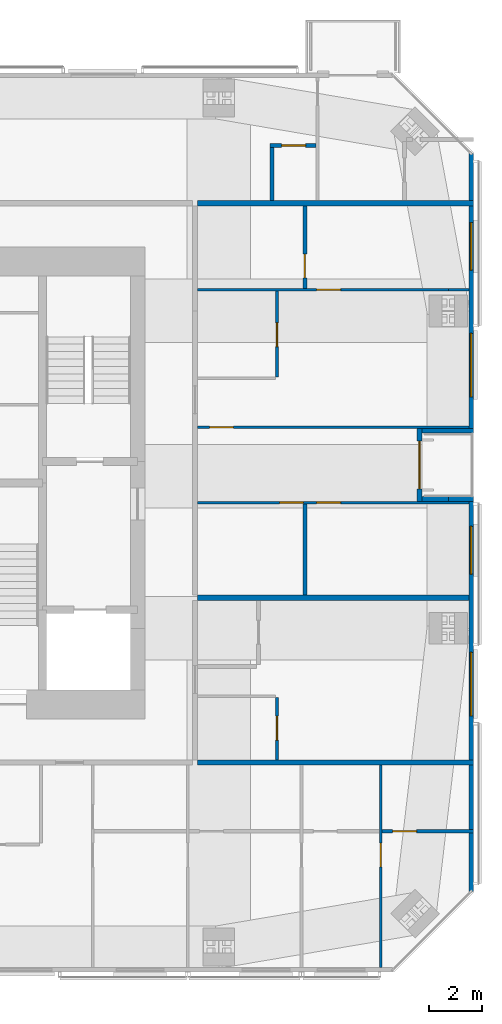
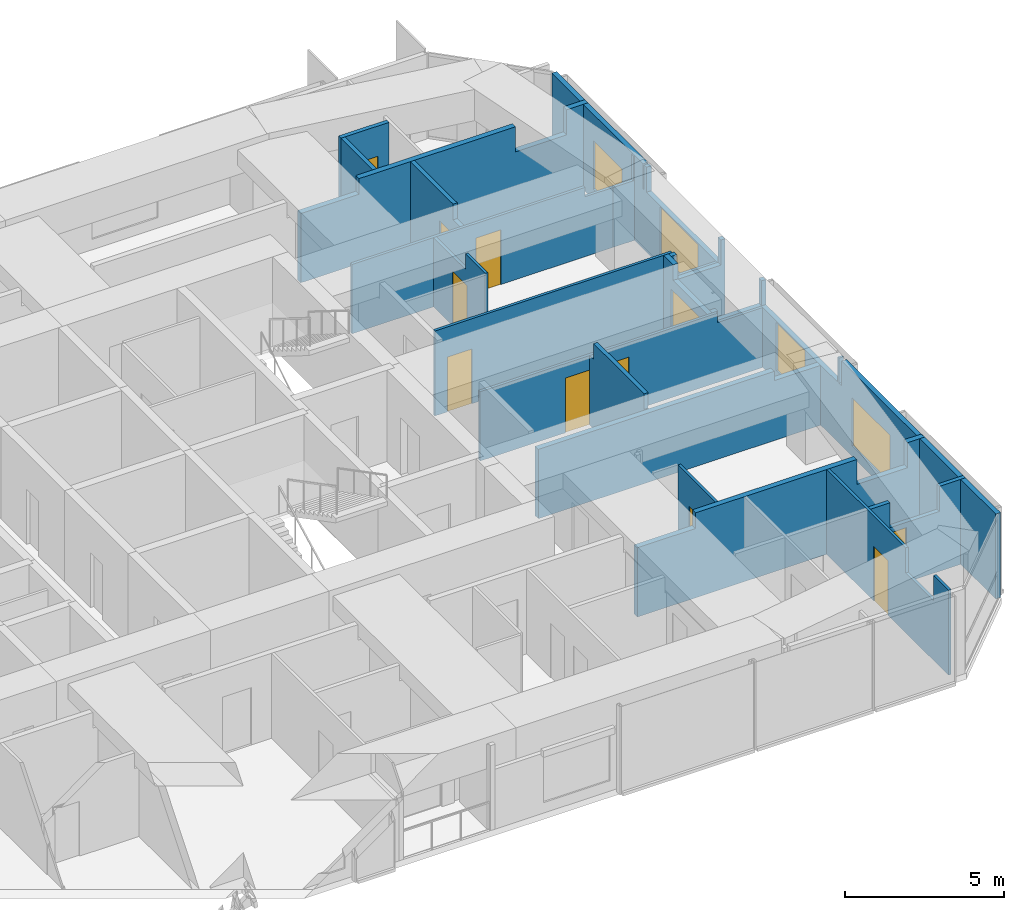
# One storey, part 18 of 20: 21 walls, 11 doors, 4 windows, 15 openings.
"""IFC4 building model written with IfcOpenShell, lengths in metres."""

from ifc_helpers import new_model, si_unit, direction, frame, frame_2d, origin, place, context, subcontext, project, spatial, polyline, rectangle, outline, extrude, material, constituent, constituent_set, type_object, element, fill, save


model = new_model("IFC4")

# Units and contexts
model_context = context("Model", 3, precision=1e-05, world=origin(), true_north=direction((0.0, 1.0)))
body_context = subcontext(model_context, "Body", "Model", "MODEL_VIEW")
ifc_project = project(units=[si_unit("LENGTHUNIT", "METRE"), si_unit("AREAUNIT", "SQUARE_METRE"), si_unit("VOLUMEUNIT", "CUBIC_METRE"), si_unit("PLANEANGLEUNIT", "RADIAN"), si_unit("MASSUNIT", "GRAM", prefix="KILO")], contexts=[model_context])

# Site, building, storey
site_placement = place(None, origin())
site = spatial("IfcSite", under=ifc_project, at=site_placement, CompositionType="ELEMENT")
building_placement = place(site_placement, origin())
building = spatial("IfcBuilding", under=site, at=building_placement, Name="Jalousie Tower", CompositionType="ELEMENT")
storey_placement = place(building_placement, frame((0.0, 0.0, 242.449951171875)))
storey = spatial("IfcBuildingStorey", under=building, at=storey_placement, Name="L66", CompositionType="ELEMENT", Elevation=242.449951171875)

# Wall, opening, door
ifc_material_1 = material(Name="Concrete block ASTM C90", Category="concrete")
ifc_constituent_1 = constituent(ifc_material_1, Name="Body")
ifc_material_2 = material(Name="Render")
ifc_constituent_2 = constituent(ifc_material_2, Name="Finish")
ifc_constituent_set_1 = constituent_set(constituents=[ifc_constituent_1, ifc_constituent_2])
wall_type_1 = type_object("IfcWallType", Name="BATHROOM WALL 150", PredefinedType="PLUMBINGWALL", material=ifc_constituent_set_1)
wall_1_placement = place(storey_placement, frame((53.050048828125, 5.324951171875, 0.0), z_axis=(0.0, 0.0, 1.0), x_axis=(1.0, 0.0, 0.0)))
wall_1 = element("IfcWall", 1, at=wall_1_placement, inside=storey, type_object=wall_type_1, Name="Bathroom Wall 150 L66", PredefinedType="PLUMBINGWALL", context=body_context, shape_type="SweptSolid", body=[
    extrude(outline(polyline([(0.0, 0.0), (3.449951171875, 0.0), (3.449951171875, 3.260009765625), (2.4970703125, 3.260009765625), (2.4970703125, 2.300048828125), (0.715087890625, 2.300048828125), (0.715087890625, 3.260009765625), (0.0, 3.260009765625), (0.0, 0.0)])), frame((0.0, 0.074951171875, 0.0), z_axis=(0.0, -1.0, 0.0), x_axis=(1.0, 0.0, 0.0)), (0.0, 0.0, 1.0), 0.14990234375),
])
opening_1_placement = place(wall_1_placement, frame((0.39990234375, 0.0, 0.0)))
opening_1 = element("IfcOpeningElement", 2, at=opening_1_placement, cuts=wall_1, Name="Opening D3", PredefinedType="OPENING", context=body_context, shape_type="SweptSolid", body=[
    extrude(rectangle(XDim=0.89990234375, YDim=2.10009765625, at=frame_2d((0.449951171875, 1.050048828125))), frame((0.0, 0.0849609375, 0.0), z_axis=(0.0, -1.0, 0.0), x_axis=(1.0, 0.0, 0.0)), (0.0, 0.0, 1.0), 0.169921875),
])
ifc_material_3 = material(Name="Timber door", Category="wood")
door_type_1 = type_object("IfcDoorType", Name="BATHROOM DOOR 900", OperationType="SINGLE_SWING_LEFT", PredefinedType="DOOR", material=ifc_material_3)
door_1_placement = place(opening_1_placement, origin())
door_1 = element("IfcDoor", 3, at=door_1_placement, inside=storey, type_object=door_type_1, Name="Apartment 6603 bedroom 4 bathroom door", OperationType="SINGLE_SWING_LEFT", OverallHeight=2.10009765625, OverallWidth=0.89990234375, PredefinedType="DOOR", context=body_context, shape_type="SweptSolid", body=[
    extrude(rectangle(XDim=0.89990234375, YDim=2.10009765625, at=frame_2d((0.449951171875, 1.050048828125))), frame((0.0, 0.02490234375, 0.0), z_axis=(0.0, -1.0, 0.0), x_axis=(1.0, 0.0, 0.0)), (0.0, 0.0, 1.0), 0.050048828125),
])
fill(opening_1, door_1)

# Wall
wall_2_placement = place(storey_placement, frame((50.125, 14.25, 0.0), z_axis=(0.0, 0.0, 1.0), x_axis=(0.0, 1.0, 0.0)))
element("IfcWall", 4, at=wall_2_placement, inside=storey, type_object=wall_type_1, Name="Bathroom Wall 150 L66", PredefinedType="PLUMBINGWALL", context=body_context, shape_type="SweptSolid", body=[
    extrude(outline(polyline([(0.0, 0.0), (3.449951171875, 0.0), (3.449951171875, 3.260009765625), (3.449951171875, 2.66015625), (3.215087890625, 2.66015625), (3.215087890625, 3.260009765625), (0.034912109375, 3.260009765625), (0.034912109375, 2.66015625), (0.0, 2.66015625), (0.0, 3.260009765625), (0.0, 0.0)])), frame((0.0, 0.074951171875, 0.0), z_axis=(0.0, -1.0, 0.0), x_axis=(1.0, 0.0, 0.0)), (0.0, 0.0, 1.0), 0.14990234375),
])

# Wall, opening, door
wall_3_placement = place(storey_placement, frame((50.125, 25.85009765625, 0.0), z_axis=(0.0, 0.0, 1.0), x_axis=(0.0, 1.0, 0.0)))
wall_3 = element("IfcWall", 5, at=wall_3_placement, inside=storey, type_object=wall_type_1, Name="Bathroom Wall 150 L66", PredefinedType="PLUMBINGWALL", context=body_context, shape_type="SweptSolid", body=[
    extrude(outline(polyline([(0.0, 0.0), (3.125, 0.0), (3.125, 3.260009765625), (0.43505859375, 3.260009765625), (0.43505859375, 2.66015625), (0.0, 2.66015625), (0.0, 3.260009765625), (0.0, 0.0)])), frame((0.0, 0.074951171875, 0.0), z_axis=(0.0, -1.0, 0.0), x_axis=(1.0, 0.0, 0.0)), (0.0, 0.0, 1.0), 0.14990234375),
])
opening_2_placement = place(wall_3_placement, frame((0.39990234375, 0.0, 0.0)))
opening_2 = element("IfcOpeningElement", 6, at=opening_2_placement, cuts=wall_3, Name="Opening D3", PredefinedType="OPENING", context=body_context, shape_type="SweptSolid", body=[
    extrude(rectangle(XDim=0.89990234375, YDim=2.10009765625, at=frame_2d((0.449951171875, 1.050048828125))), frame((0.0, 0.0849609375, 0.0), z_axis=(0.0, -1.0, 0.0), x_axis=(1.0, 0.0, 0.0)), (0.0, 0.0, 1.0), 0.169921875),
])
door_2_placement = place(opening_2_placement, origin())
door_2 = element("IfcDoor", 7, at=door_2_placement, inside=storey, type_object=door_type_1, Name="Apartment 6606 bedroom 2 bathroom door", OperationType="SINGLE_SWING_LEFT", OverallHeight=2.10009765625, OverallWidth=0.89990234375, PredefinedType="DOOR", context=body_context, shape_type="SweptSolid", body=[
    extrude(rectangle(XDim=0.89990234375, YDim=2.10009765625, at=frame_2d((0.449951171875, 1.050048828125))), frame((0.0, 0.02490234375, 0.0), z_axis=(0.0, -1.0, 0.0), x_axis=(1.0, 0.0, 0.0)), (0.0, 0.0, 1.0), 0.050048828125),
])
fill(opening_2, door_2)

wall_4_placement = place(storey_placement, frame((50.552490234375, 31.25, 0.0), z_axis=(0.0, 0.0, 1.0), x_axis=(-1.0, 0.0, 0.0)))
wall_4 = element("IfcWall", 8, at=wall_4_placement, inside=storey, type_object=wall_type_1, Name="Bathroom Wall 150 L66", PredefinedType="PLUMBINGWALL", context=body_context, shape_type="SweptSolid", body=[
    extrude(rectangle(XDim=1.75, YDim=0.14990234375, at=frame_2d((0.875, 0.0))), origin(), (0.0, 0.0, 1.0), 3.260009765625),
])
opening_3_placement = place(wall_4_placement, frame((0.39990234375, 0.0, 0.0)))
opening_3 = element("IfcOpeningElement", 9, at=opening_3_placement, cuts=wall_4, Name="Opening D7", PredefinedType="OPENING", context=body_context, shape_type="SweptSolid", body=[
    extrude(rectangle(XDim=0.89990234375, YDim=2.10009765625, at=frame_2d((0.449951171875, 1.050048828125))), frame((0.0, 0.0849609375, 0.0), z_axis=(0.0, -1.0, 0.0), x_axis=(1.0, 0.0, 0.0)), (0.0, 0.0, 1.0), 0.169921875),
])
ifc_material_4 = material(Name="Timber door", Category="wood")
door_type_2 = type_object("IfcDoorType", Name="INTERNAL DOOR 900", OperationType="SINGLE_SWING_LEFT", PredefinedType="DOOR", material=ifc_material_4)
door_3_placement = place(opening_3_placement, origin())
door_3 = element("IfcDoor", 10, at=door_3_placement, inside=storey, type_object=door_type_2, Name="Apartment 6604 guest WC door", OperationType="SINGLE_SWING_RIGHT", OverallHeight=2.10009765625, OverallWidth=0.89990234375, PredefinedType="DOOR", context=body_context, shape_type="SweptSolid", body=[
    extrude(rectangle(XDim=0.89990234375, YDim=2.10009765625, at=frame_2d((0.449951171875, 1.050048828125))), frame((0.0, 0.02490234375, 0.0), z_axis=(0.0, -1.0, 0.0), x_axis=(1.0, 0.0, 0.0)), (0.0, 0.0, 1.0), 0.050048828125),
])
fill(opening_3, door_3)

# Wall
wall_5_placement = place(storey_placement, frame((48.87744140625, 29.175048828125, 0.0), z_axis=(0.0, 0.0, 1.0), x_axis=(0.0, 1.0, 0.0)))
element("IfcWall", 11, at=wall_5_placement, inside=storey, type_object=wall_type_1, Name="Bathroom Wall 150 L66", PredefinedType="PLUMBINGWALL", context=body_context, shape_type="SweptSolid", body=[
    extrude(rectangle(XDim=2.0, YDim=0.14990234375, at=frame_2d((1.0, 0.0))), origin(), (0.0, 0.0, 1.0), 3.260009765625),
])

# Wall, openings, windows
ifc_material_5 = material(Name="Concrete f'c 40 MPa", Category="concrete")
ifc_constituent_3 = constituent(ifc_material_5, Name="Body")
ifc_material_6 = material(Name="Render, pastel sky blue")
ifc_constituent_4 = constituent(ifc_material_6, Name="Finish")
ifc_constituent_set_2 = constituent_set(constituents=[ifc_constituent_3, ifc_constituent_4])
wall_type_2 = type_object("IfcWallType", Name="EXTERNAL WALL 175 SKY BLUE RENDER", PredefinedType="SOLIDWALL", material=ifc_constituent_set_2)
wall_6_placement = place(storey_placement, frame((56.41259765625, 3.05126953125, 0.0), z_axis=(0.0, 0.0, 1.0), x_axis=(0.0, 1.0, 0.0)))
wall_6 = element("IfcWall", 12, at=wall_6_placement, inside=storey, type_object=wall_type_2, Name="External Wall 175 Sky Blue Render L66", PredefinedType="SOLIDWALL", context=body_context, shape_type="SweptSolid", body=[
    extrude(outline(polyline([(0.0, 0.0), (14.748779296875, 0.0), (14.748779296875, 2.300048828125), (9.94873046875, 2.300048828125), (9.94873046875, 3.260009765625), (9.8583984375, 3.260009765625), (9.8583984375, 2.300048828125), (9.6875, 2.300048828125), (9.6875, 3.260009765625), (0.0, 3.260009765625), (0.0, 0.0)])), frame((0.0, 0.08740234375, 0.0), z_axis=(0.0, -1.0, 0.0), x_axis=(1.0, 0.0, 0.0)), (0.0, 0.0, 1.0), 0.175048828125),
])
opening_4_placement = place(wall_6_placement, frame((6.639892578125, 0.0, 0.39990234375)))
opening_4 = element("IfcOpeningElement", 13, at=opening_4_placement, cuts=wall_6, Name="Opening W-LIV185", PredefinedType="OPENING", context=body_context, shape_type="SweptSolid", body=[
    extrude(rectangle(XDim=2.39990234375, YDim=1.85009765625, at=frame_2d((1.199951171875, 0.925048828125))), frame((0.0, 0.097412109375, 0.0), z_axis=(0.0, -1.0, 0.0), x_axis=(1.0, 0.0, 0.0)), (0.0, 0.0, 1.0), 0.195068359375),
])
opening_5_placement = place(wall_6_placement, frame((11.998779296875, 0.0, 0.39990234375)))
opening_5 = element("IfcOpeningElement", 14, at=opening_5_placement, cuts=wall_6, Name="Opening W-BED185", PredefinedType="OPENING", context=body_context, shape_type="SweptSolid", body=[
    extrude(rectangle(XDim=1.800048828125, YDim=1.85009765625, at=frame_2d((0.89990234375, 0.925048828125))), frame((0.0, 0.097412109375, 0.0), z_axis=(0.0, -1.0, 0.0), x_axis=(1.0, 0.0, 0.0)), (0.0, 0.0, 1.0), 0.195068359375),
])
ifc_material_7 = material(Name="Aluminium frame, impact-rated glazing", Category="aluminium")
window_type_1 = type_object("IfcWindowType", Name="WINDOW BED 1800x1850", PartitioningType="SINGLE_PANEL", PredefinedType="WINDOW", material=ifc_material_7)
window_1_placement = place(opening_5_placement, origin())
window_1 = element("IfcWindow", 15, at=window_1_placement, inside=storey, type_object=window_type_1, Name="Apartment 6606 bedroom 1 window", OverallHeight=1.85009765625, OverallWidth=1.800048828125, PartitioningType="SINGLE_PANEL", PredefinedType="WINDOW", context=body_context, shape_type="SweptSolid", body=[
    extrude(rectangle(XDim=1.800048828125, YDim=1.85009765625, at=frame_2d((0.89990234375, 0.925048828125))), frame((0.0, 0.030029296875, 0.0), z_axis=(0.0, -1.0, 0.0), x_axis=(1.0, 0.0, 0.0)), (0.0, 0.0, 1.0), 0.06005859375),
])
fill(opening_5, window_1)
ifc_material_8 = material(Name="Aluminium frame, impact-rated glazing", Category="aluminium")
window_type_2 = type_object("IfcWindowType", Name="WINDOW LIV 2400x1850", PartitioningType="DOUBLE_PANEL_VERTICAL", PredefinedType="WINDOW", material=ifc_material_8)
window_2_placement = place(opening_4_placement, origin())
window_2 = element("IfcWindow", 16, at=window_2_placement, inside=storey, type_object=window_type_2, Name="Apartment 6605 studio living and sleeping room window", OverallHeight=1.85009765625, OverallWidth=2.39990234375, PartitioningType="SINGLE_PANEL", PredefinedType="WINDOW", context=body_context, shape_type="SweptSolid", body=[
    extrude(rectangle(XDim=2.39990234375, YDim=1.85009765625, at=frame_2d((1.199951171875, 0.925048828125))), frame((0.0, 0.030029296875, 0.0), z_axis=(0.0, -1.0, 0.0), x_axis=(1.0, 0.0, 0.0)), (0.0, 0.0, 1.0), 0.06005859375),
])
fill(opening_4, window_2)

wall_7_placement = place(storey_placement, frame((56.41259765625, 20.550048828125, 0.0), z_axis=(0.0, 0.0, 1.0), x_axis=(0.0, 1.0, 0.0)))
wall_7 = element("IfcWall", 17, at=wall_7_placement, inside=storey, type_object=wall_type_2, Name="External Wall 175 Sky Blue Render L66", PredefinedType="SOLIDWALL", context=body_context, shape_type="SweptSolid", body=[
    extrude(outline(polyline([(0.0, 0.0), (10.398681640625, 0.0), (10.398681640625, 3.260009765625), (4.658447265625, 3.260009765625), (4.658447265625, 2.300048828125), (4.593505859375, 2.300048828125), (4.593505859375, 3.260009765625), (4.449951171875, 3.260009765625), (4.449951171875, 2.300048828125), (0.0, 2.300048828125), (0.0, 0.0)])), frame((0.0, 0.08740234375, 0.0), z_axis=(0.0, -1.0, 0.0), x_axis=(1.0, 0.0, 0.0)), (0.0, 0.0, 1.0), 0.175048828125),
])
opening_6_placement = place(wall_7_placement, frame((1.199951171875, 0.0, 0.39990234375)))
opening_6 = element("IfcOpeningElement", 18, at=opening_6_placement, cuts=wall_7, Name="Opening W-LIV185", PredefinedType="OPENING", context=body_context, shape_type="SweptSolid", body=[
    extrude(rectangle(XDim=2.39990234375, YDim=1.85009765625, at=frame_2d((1.199951171875, 0.925048828125))), frame((0.0, 0.097412109375, 0.0), z_axis=(0.0, -1.0, 0.0), x_axis=(1.0, 0.0, 0.0)), (0.0, 0.0, 1.0), 0.195068359375),
])
opening_7_placement = place(wall_7_placement, frame((5.987548828125, 0.0, 0.39990234375)))
opening_7 = element("IfcOpeningElement", 19, at=opening_7_placement, cuts=wall_7, Name="Opening W-BED185", PredefinedType="OPENING", context=body_context, shape_type="SweptSolid", body=[
    extrude(rectangle(XDim=1.800048828125, YDim=1.85009765625, at=frame_2d((0.89990234375, 0.925048828125))), frame((0.0, 0.097412109375, 0.0), z_axis=(0.0, -1.0, 0.0), x_axis=(1.0, 0.0, 0.0)), (0.0, 0.0, 1.0), 0.195068359375),
])
window_3_placement = place(opening_7_placement, origin())
window_3 = element("IfcWindow", 20, at=window_3_placement, inside=storey, type_object=window_type_1, Name="Apartment 6606 bedroom 2 window", OverallHeight=1.85009765625, OverallWidth=1.800048828125, PartitioningType="SINGLE_PANEL", PredefinedType="WINDOW", context=body_context, shape_type="SweptSolid", body=[
    extrude(rectangle(XDim=1.800048828125, YDim=1.85009765625, at=frame_2d((0.89990234375, 0.925048828125))), frame((0.0, 0.030029296875, 0.0), z_axis=(0.0, -1.0, 0.0), x_axis=(1.0, 0.0, 0.0)), (0.0, 0.0, 1.0), 0.06005859375),
])
fill(opening_7, window_3)
window_4_placement = place(opening_6_placement, origin())
window_4 = element("IfcWindow", 21, at=window_4_placement, inside=storey, type_object=window_type_2, Name="Apartment 6606 living and dining room window", OverallHeight=1.85009765625, OverallWidth=2.39990234375, PartitioningType="SINGLE_PANEL", PredefinedType="WINDOW", context=body_context, shape_type="SweptSolid", body=[
    extrude(rectangle(XDim=2.39990234375, YDim=1.85009765625, at=frame_2d((1.199951171875, 0.925048828125))), frame((0.0, 0.030029296875, 0.0), z_axis=(0.0, -1.0, 0.0), x_axis=(1.0, 0.0, 0.0)), (0.0, 0.0, 1.0), 0.06005859375),
])
fill(opening_6, window_4)

# Wall, opening, door
wall_8_placement = place(storey_placement, frame((54.46240234375, 17.800048828125, 0.0), z_axis=(0.0, 0.0, 1.0), x_axis=(0.0, 1.0, 0.0)))
wall_8 = element("IfcWall", 22, at=wall_8_placement, inside=storey, type_object=wall_type_2, Name="External Wall 175 Sky Blue Render L66", PredefinedType="SOLIDWALL", context=body_context, shape_type="SweptSolid", body=[
    extrude(outline(polyline([(0.0, 0.0), (2.75, 0.0), (2.75, 3.260009765625), (2.14990234375, 3.260009765625), (2.14990234375, 2.66015625), (0.0, 2.66015625), (0.0, 0.0)])), frame((0.0, 0.08740234375, 0.0), z_axis=(0.0, -1.0, 0.0), x_axis=(1.0, 0.0, 0.0)), (0.0, 0.0, 1.0), 0.175048828125),
])
opening_8_placement = place(wall_8_placement, frame((0.47509765625, 0.0, 0.0)))
opening_8 = element("IfcOpeningElement", 23, at=opening_8_placement, cuts=wall_8, Name="Opening D-BAL22", PredefinedType="OPENING", context=body_context, shape_type="SweptSolid", body=[
    extrude(rectangle(XDim=1.800048828125, YDim=2.25, at=frame_2d((0.89990234375, 1.125))), frame((0.0, 0.097412109375, 0.0), z_axis=(0.0, -1.0, 0.0), x_axis=(1.0, 0.0, 0.0)), (0.0, 0.0, 1.0), 0.195068359375),
])
ifc_material_9 = material(Name="Aluminium frame, impact-rated glazing", Category="aluminium")
door_type_3 = type_object("IfcDoorType", Name="BALCONY DOOR 1800x2250", OperationType="SLIDING_TO_LEFT", PredefinedType="DOOR", material=ifc_material_9)
door_4_placement = place(opening_8_placement, origin())
door_4 = element("IfcDoor", 24, at=door_4_placement, inside=storey, type_object=door_type_3, Name="Apartment 6606 study loggia door", OperationType="SLIDING_TO_LEFT", OverallHeight=2.25, OverallWidth=1.800048828125, PredefinedType="DOOR", context=body_context, shape_type="SweptSolid", body=[
    extrude(rectangle(XDim=1.800048828125, YDim=2.25, at=frame_2d((0.89990234375, 1.125))), frame((0.0, 0.02490234375, 0.0), z_axis=(0.0, -1.0, 0.0), x_axis=(1.0, 0.0, 0.0)), (0.0, 0.0, 1.0), 0.050048828125),
])
fill(opening_8, door_4)

# Walls
wall_9_placement = place(storey_placement, frame((56.5, 17.887451171875, 0.0), z_axis=(0.0, 0.0, 1.0), x_axis=(-1.0, 0.0, 0.0)))
element("IfcWall", 25, at=wall_9_placement, inside=storey, type_object=wall_type_2, Name="External Wall 175 Sky Blue Render L66-A", PredefinedType="SOLIDWALL", context=body_context, shape_type="SweptSolid", body=[
    extrude(outline(polyline([(0.0, 0.0), (0.949951171875, 0.0), (0.949951171875, 2.300048828125), (0.14990234375, 2.300048828125), (0.14990234375, 3.260009765625), (0.0, 3.260009765625), (0.0, 0.0)])), frame((0.0, 0.08740234375, 0.0), z_axis=(0.0, -1.0, 0.0), x_axis=(1.0, 0.0, 0.0)), (0.0, 0.0, 1.0), 0.175048828125),
])
wall_10_placement = place(storey_placement, frame((55.550048828125, 17.887451171875, 0.0), z_axis=(0.0, 0.0, 1.0), x_axis=(-1.0, 0.0, 0.0)))
element("IfcWall", 26, at=wall_10_placement, inside=storey, type_object=wall_type_2, Name="External Wall 175 Sky Blue Render L66-B", PredefinedType="SOLIDWALL", context=body_context, shape_type="SweptSolid", body=[
    extrude(outline(polyline([(0.0, 0.0), (1.0, 0.0), (1.0, 2.66015625), (0.800048828125, 2.66015625), (0.800048828125, 2.300048828125), (0.0, 2.300048828125), (0.0, 0.0)])), frame((0.0, 0.08740234375, 0.0), z_axis=(0.0, -1.0, 0.0), x_axis=(1.0, 0.0, 0.0)), (0.0, 0.0, 1.0), 0.175048828125),
])
wall_11_placement = place(storey_placement, frame((56.5, 20.46240234375, 0.0), z_axis=(0.0, 0.0, 1.0), x_axis=(-1.0, 0.0, 0.0)))
element("IfcWall", 27, at=wall_11_placement, inside=storey, type_object=wall_type_2, Name="External Wall 175 Sky Blue Render L66", PredefinedType="SOLIDWALL", context=body_context, shape_type="SweptSolid", body=[
    extrude(outline(polyline([(0.0, 0.0), (1.949951171875, 0.0), (1.949951171875, 3.260009765625), (1.75, 3.260009765625), (1.75, 2.300048828125), (0.14990234375, 2.300048828125), (0.14990234375, 3.260009765625), (0.0, 3.260009765625), (0.0, 0.0)])), frame((0.0, 0.08740234375, 0.0), z_axis=(0.0, -1.0, 0.0), x_axis=(1.0, 0.0, 0.0)), (0.0, 0.0, 1.0), 0.175048828125),
])

# Wall, opening, door
ifc_material_10 = material(Name="Gypsum board", Category="gypsum")
ifc_constituent_5 = constituent(ifc_material_10, Name="Body")
ifc_material_11 = material(Name="Light-gauge steel studs ASTM A653 SS Grade 33", Category="steel")
ifc_constituent_6 = constituent(ifc_material_11, Name="Framing")
ifc_constituent_set_3 = constituent_set(constituents=[ifc_constituent_5, ifc_constituent_6])
wall_type_3 = type_object("IfcWallType", Name="PARTITION 100", PredefinedType="PARTITIONING", material=ifc_constituent_set_3)
wall_12_placement = place(storey_placement, frame((53.0, 0.175048828125, 0.0), z_axis=(0.0, 0.0, 1.0), x_axis=(0.0, 1.0, 0.0)))
wall_12 = element("IfcWall", 28, at=wall_12_placement, inside=storey, type_object=wall_type_3, Name="Partition 100 L66", PredefinedType="PARTITIONING", context=body_context, shape_type="SweptSolid", body=[
    extrude(outline(polyline([(0.0, 0.0), (7.64990234375, 0.0), (7.64990234375, 3.260009765625), (2.685302734375, 3.260009765625), (2.685302734375, 2.300048828125), (0.940673828125, 2.300048828125), (0.940673828125, 3.260009765625), (0.0, 3.260009765625), (0.0, 0.0)])), frame((0.0, 0.050048828125, 0.0), z_axis=(0.0, -1.0, 0.0), x_axis=(1.0, 0.0, 0.0)), (0.0, 0.0, 1.0), 0.10009765625),
])
opening_9_placement = place(wall_12_placement, frame((3.800048828125, 0.0, 0.0)))
opening_9 = element("IfcOpeningElement", 29, at=opening_9_placement, cuts=wall_12, Name="Opening D2", PredefinedType="OPENING", context=body_context, shape_type="SweptSolid", body=[
    extrude(rectangle(XDim=0.89990234375, YDim=2.10009765625, at=frame_2d((0.449951171875, 1.050048828125))), frame((0.0, 0.06005859375, 0.0), z_axis=(0.0, -1.0, 0.0), x_axis=(1.0, 0.0, 0.0)), (0.0, 0.0, 1.0), 0.1201171875),
])
ifc_material_12 = material(Name="Timber door", Category="wood")
door_type_4 = type_object("IfcDoorType", Name="BEDROOM DOOR 900", OperationType="SINGLE_SWING_LEFT", PredefinedType="DOOR", material=ifc_material_12)
door_5_placement = place(opening_9_placement, frame((0.89990234375, 0.0, 0.0), z_axis=(0.0, 0.0, 1.0), x_axis=(-1.0, 0.0, 0.0)))
door_5 = element("IfcDoor", 30, at=door_5_placement, inside=storey, type_object=door_type_4, Name="Apartment 6603 bedroom 4 door", OperationType="SINGLE_SWING_LEFT", OverallHeight=2.10009765625, OverallWidth=0.89990234375, PredefinedType="DOOR", context=body_context, shape_type="SweptSolid", body=[
    extrude(rectangle(XDim=0.89990234375, YDim=2.10009765625, at=frame_2d((0.449951171875, 1.050048828125))), frame((0.0, 0.02490234375, 0.0), z_axis=(0.0, -1.0, 0.0), x_axis=(1.0, 0.0, 0.0)), (0.0, 0.0, 1.0), 0.050048828125),
])
fill(opening_9, door_5)

wall_13_placement = place(storey_placement, frame((49.074951171875, 8.02490234375, 0.0), z_axis=(0.0, 0.0, 1.0), x_axis=(0.0, 1.0, 0.0)))
wall_13 = element("IfcWall", 31, at=wall_13_placement, inside=storey, type_object=wall_type_3, Name="Partition 100 L66", PredefinedType="PARTITIONING", context=body_context, shape_type="SweptSolid", body=[
    extrude(rectangle(XDim=2.35009765625, YDim=0.10009765625, at=frame_2d((1.175048828125, 0.0))), origin(), (0.0, 0.0, 1.0), 3.260009765625),
])
opening_10_placement = place(wall_13_placement, frame((0.75, 0.0, 0.0)))
opening_10 = element("IfcOpeningElement", 32, at=opening_10_placement, cuts=wall_13, Name="Opening D7", PredefinedType="OPENING", context=body_context, shape_type="SweptSolid", body=[
    extrude(rectangle(XDim=0.89990234375, YDim=2.10009765625, at=frame_2d((0.449951171875, 1.050048828125))), frame((0.0, 0.06005859375, 0.0), z_axis=(0.0, -1.0, 0.0), x_axis=(1.0, 0.0, 0.0)), (0.0, 0.0, 1.0), 0.1201171875),
])
door_6_placement = place(opening_10_placement, origin())
door_6 = element("IfcDoor", 33, at=door_6_placement, inside=storey, type_object=door_type_2, Name="Apartment 6605 kitchen door", OperationType="SINGLE_SWING_RIGHT", OverallHeight=2.10009765625, OverallWidth=0.89990234375, PredefinedType="DOOR", context=body_context, shape_type="SweptSolid", body=[
    extrude(rectangle(XDim=0.89990234375, YDim=2.10009765625, at=frame_2d((0.449951171875, 1.050048828125))), frame((0.0, 0.02490234375, 0.0), z_axis=(0.0, -1.0, 0.0), x_axis=(1.0, 0.0, 0.0)), (0.0, 0.0, 1.0), 0.050048828125),
])
fill(opening_10, door_6)

# Wall, openings, doors
wall_14_placement = place(storey_placement, frame((56.324951171875, 17.75, 0.0), z_axis=(0.0, 0.0, 1.0), x_axis=(-1.0, 0.0, 0.0)))
wall_14 = element("IfcWall", 34, at=wall_14_placement, inside=storey, type_object=wall_type_3, Name="Partition 100 L66", PredefinedType="PARTITIONING", context=body_context, shape_type="SweptSolid", body=[
    extrude(outline(polyline([(0.0, 0.0), (10.25, 0.0), (10.25, 3.260009765625), (10.25, 2.66015625), (1.635009765625, 2.66015625), (1.635009765625, 2.300048828125), (0.0, 2.300048828125), (0.0, 3.260009765625), (0.0, 0.0)])), frame((0.0, 0.050048828125, 0.0), z_axis=(0.0, -1.0, 0.0), x_axis=(1.0, 0.0, 0.0)), (0.0, 0.0, 1.0), 0.10009765625),
])
opening_11_placement = place(wall_14_placement, frame((4.85009765625, 0.0, 0.0)))
opening_11 = element("IfcOpeningElement", 35, at=opening_11_placement, cuts=wall_14, Name="Opening D2", PredefinedType="OPENING", context=body_context, shape_type="SweptSolid", body=[
    extrude(rectangle(XDim=0.89990234375, YDim=2.10009765625, at=frame_2d((0.449951171875, 1.050048828125))), frame((0.0, 0.06005859375, 0.0), z_axis=(0.0, -1.0, 0.0), x_axis=(1.0, 0.0, 0.0)), (0.0, 0.0, 1.0), 0.1201171875),
])
opening_12_placement = place(wall_14_placement, frame((6.25, 0.0, 0.0)))
opening_12 = element("IfcOpeningElement", 36, at=opening_12_placement, cuts=wall_14, Name="Opening D7", PredefinedType="OPENING", context=body_context, shape_type="SweptSolid", body=[
    extrude(rectangle(XDim=0.89990234375, YDim=2.10009765625, at=frame_2d((0.449951171875, 1.050048828125))), frame((0.0, 0.06005859375, 0.0), z_axis=(0.0, -1.0, 0.0), x_axis=(1.0, 0.0, 0.0)), (0.0, 0.0, 1.0), 0.1201171875),
])
door_7_placement = place(opening_11_placement, origin())
door_7 = element("IfcDoor", 37, at=door_7_placement, inside=storey, type_object=door_type_4, Name="Apartment 6606 bedroom 1 door", OperationType="SINGLE_SWING_RIGHT", OverallHeight=2.10009765625, OverallWidth=0.89990234375, PredefinedType="DOOR", context=body_context, shape_type="SweptSolid", body=[
    extrude(rectangle(XDim=0.89990234375, YDim=2.10009765625, at=frame_2d((0.449951171875, 1.050048828125))), frame((0.0, 0.02490234375, 0.0), z_axis=(0.0, -1.0, 0.0), x_axis=(1.0, 0.0, 0.0)), (0.0, 0.0, 1.0), 0.050048828125),
])
fill(opening_11, door_7)
door_8_placement = place(opening_12_placement, origin())
door_8 = element("IfcDoor", 38, at=door_8_placement, inside=storey, type_object=door_type_2, Name="Apartment 6606 bathroom door", OperationType="SINGLE_SWING_LEFT", OverallHeight=2.10009765625, OverallWidth=0.89990234375, PredefinedType="DOOR", context=body_context, shape_type="SweptSolid", body=[
    extrude(rectangle(XDim=0.89990234375, YDim=2.10009765625, at=frame_2d((0.449951171875, 1.050048828125))), frame((0.0, 0.02490234375, 0.0), z_axis=(0.0, -1.0, 0.0), x_axis=(1.0, 0.0, 0.0)), (0.0, 0.0, 1.0), 0.050048828125),
])
fill(opening_12, door_8)

# Wall
wall_15_placement = place(storey_placement, frame((56.324951171875, 25.800048828125, 0.0), z_axis=(0.0, 0.0, 1.0), x_axis=(-1.0, 0.0, 0.0)))
element("IfcWall", 39, at=wall_15_placement, inside=storey, type_object=wall_type_3, Name="Partition 100 L66-A", PredefinedType="PARTITIONING", context=body_context, shape_type="SweptSolid", body=[
    extrude(outline(polyline([(0.0, 0.0), (0.77490234375, 0.0), (0.77490234375, 2.300048828125), (0.04833984375, 2.300048828125), (0.04833984375, 3.260009765625), (0.0, 3.260009765625), (0.0, 0.0)])), frame((0.0, 0.050048828125, 0.0), z_axis=(0.0, -1.0, 0.0), x_axis=(1.0, 0.0, 0.0)), (0.0, 0.0, 1.0), 0.10009765625),
])

# Wall, opening, door
wall_16_placement = place(storey_placement, frame((55.550048828125, 25.800048828125, 0.0), z_axis=(0.0, 0.0, 1.0), x_axis=(-1.0, 0.0, 0.0)))
wall_16 = element("IfcWall", 40, at=wall_16_placement, inside=storey, type_object=wall_type_3, Name="Partition 100 L66-B", PredefinedType="PARTITIONING", context=body_context, shape_type="SweptSolid", body=[
    extrude(outline(polyline([(0.0, 0.0), (9.47509765625, 0.0), (9.47509765625, 2.66015625), (1.022705078125, 2.66015625), (1.022705078125, 2.300048828125), (0.0, 2.300048828125), (0.0, 0.0)])), frame((0.0, 0.050048828125, 0.0), z_axis=(0.0, -1.0, 0.0), x_axis=(1.0, 0.0, 0.0)), (0.0, 0.0, 1.0), 0.10009765625),
])
opening_13_placement = place(wall_16_placement, frame((4.074951171875, 0.0, 0.0)))
opening_13 = element("IfcOpeningElement", 41, at=opening_13_placement, cuts=wall_16, Name="Opening D2", PredefinedType="OPENING", context=body_context, shape_type="SweptSolid", body=[
    extrude(rectangle(XDim=0.89990234375, YDim=2.10009765625, at=frame_2d((0.449951171875, 1.050048828125))), frame((0.0, 0.06005859375, 0.0), z_axis=(0.0, -1.0, 0.0), x_axis=(1.0, 0.0, 0.0)), (0.0, 0.0, 1.0), 0.1201171875),
])
door_9_placement = place(opening_13_placement, frame((0.89990234375, 0.0, 0.0), z_axis=(0.0, 0.0, 1.0), x_axis=(-1.0, 0.0, 0.0)))
door_9 = element("IfcDoor", 42, at=door_9_placement, inside=storey, type_object=door_type_4, Name="Apartment 6606 bedroom 2 door", OperationType="SINGLE_SWING_LEFT", OverallHeight=2.10009765625, OverallWidth=0.89990234375, PredefinedType="DOOR", context=body_context, shape_type="SweptSolid", body=[
    extrude(rectangle(XDim=0.89990234375, YDim=2.10009765625, at=frame_2d((0.449951171875, 1.050048828125))), frame((0.0, 0.02490234375, 0.0), z_axis=(0.0, -1.0, 0.0), x_axis=(1.0, 0.0, 0.0)), (0.0, 0.0, 1.0), 0.050048828125),
])
fill(opening_13, door_9)

wall_17_placement = place(storey_placement, frame((56.324951171875, 20.60009765625, 0.0), z_axis=(0.0, 0.0, 1.0), x_axis=(-1.0, 0.0, 0.0)))
wall_17 = element("IfcWall", 43, at=wall_17_placement, inside=storey, type_object=wall_type_3, Name="Partition 100 L66", PredefinedType="PARTITIONING", context=body_context, shape_type="SweptSolid", body=[
    extrude(outline(polyline([(0.0, 0.0), (10.25, 0.0), (10.25, 3.260009765625), (1.635009765625, 3.260009765625), (1.635009765625, 2.300048828125), (0.0, 2.300048828125), (0.0, 3.260009765625), (0.0, 0.0)])), frame((0.0, 0.050048828125, 0.0), z_axis=(0.0, -1.0, 0.0), x_axis=(1.0, 0.0, 0.0)), (0.0, 0.0, 1.0), 0.10009765625),
])
opening_14_placement = place(wall_17_placement, frame((8.89990234375, 0.0, 0.0)))
opening_14 = element("IfcOpeningElement", 44, at=opening_14_placement, cuts=wall_17, Name="Opening D2", PredefinedType="OPENING", context=body_context, shape_type="SweptSolid", body=[
    extrude(rectangle(XDim=0.89990234375, YDim=2.10009765625, at=frame_2d((0.449951171875, 1.050048828125))), frame((0.0, 0.06005859375, 0.0), z_axis=(0.0, -1.0, 0.0), x_axis=(1.0, 0.0, 0.0)), (0.0, 0.0, 1.0), 0.1201171875),
])
door_10_placement = place(opening_14_placement, origin())
door_10 = element("IfcDoor", 45, at=door_10_placement, inside=storey, type_object=door_type_4, Name="Apartment 6606 study door", OperationType="SINGLE_SWING_RIGHT", OverallHeight=2.10009765625, OverallWidth=0.89990234375, PredefinedType="DOOR", context=body_context, shape_type="SweptSolid", body=[
    extrude(rectangle(XDim=0.89990234375, YDim=2.10009765625, at=frame_2d((0.449951171875, 1.050048828125))), frame((0.0, 0.02490234375, 0.0), z_axis=(0.0, -1.0, 0.0), x_axis=(1.0, 0.0, 0.0)), (0.0, 0.0, 1.0), 0.050048828125),
])
fill(opening_14, door_10)

wall_18_placement = place(storey_placement, frame((49.074951171875, 22.5, 0.0), z_axis=(0.0, 0.0, 1.0), x_axis=(0.0, 1.0, 0.0)))
wall_18 = element("IfcWall", 46, at=wall_18_placement, inside=storey, type_object=wall_type_3, Name="Partition 100 L66", PredefinedType="PARTITIONING", context=body_context, shape_type="SweptSolid", body=[
    extrude(outline(polyline([(0.0, 0.0), (3.25, 0.0), (3.25, 3.260009765625), (3.25, 2.66015625), (1.239990234375, 2.66015625), (1.239990234375, 3.260009765625), (0.0, 3.260009765625), (0.0, 0.0)])), frame((0.0, 0.050048828125, 0.0), z_axis=(0.0, -1.0, 0.0), x_axis=(1.0, 0.0, 0.0)), (0.0, 0.0, 1.0), 0.10009765625),
])
opening_15_placement = place(wall_18_placement, frame((1.14990234375, 0.0, 0.0)))
opening_15 = element("IfcOpeningElement", 47, at=opening_15_placement, cuts=wall_18, Name="Opening D7", PredefinedType="OPENING", context=body_context, shape_type="SweptSolid", body=[
    extrude(rectangle(XDim=0.89990234375, YDim=2.10009765625, at=frame_2d((0.449951171875, 1.050048828125))), frame((0.0, 0.06005859375, 0.0), z_axis=(0.0, -1.0, 0.0), x_axis=(1.0, 0.0, 0.0)), (0.0, 0.0, 1.0), 0.1201171875),
])
door_11_placement = place(opening_15_placement, frame((0.89990234375, 0.0, 0.0), z_axis=(0.0, 0.0, 1.0), x_axis=(-1.0, 0.0, 0.0)))
door_11 = element("IfcDoor", 48, at=door_11_placement, inside=storey, type_object=door_type_2, Name="Apartment 6606 kitchen door", OperationType="SINGLE_SWING_LEFT", OverallHeight=2.10009765625, OverallWidth=0.89990234375, PredefinedType="DOOR", context=body_context, shape_type="SweptSolid", body=[
    extrude(rectangle(XDim=0.89990234375, YDim=2.10009765625, at=frame_2d((0.449951171875, 1.050048828125))), frame((0.0, 0.02490234375, 0.0), z_axis=(0.0, -1.0, 0.0), x_axis=(1.0, 0.0, 0.0)), (0.0, 0.0, 1.0), 0.050048828125),
])
fill(opening_15, door_11)

# Walls
ifc_material_13 = material(Name="Concrete block ASTM C90", Category="concrete")
ifc_constituent_7 = constituent(ifc_material_13, Name="Body")
ifc_material_14 = material(Name="Render")
ifc_constituent_8 = constituent(ifc_material_14, Name="Finish")
ifc_constituent_set_4 = constituent_set(constituents=[ifc_constituent_7, ifc_constituent_8])
wall_type_4 = type_object("IfcWallType", Name="PARTY WALL 200", PredefinedType="PARTITIONING", material=ifc_constituent_set_4)
wall_19_placement = place(storey_placement, frame((46.074951171875, 7.925048828125, 0.0), z_axis=(0.0, 0.0, 1.0), x_axis=(1.0, 0.0, 0.0)))
element("IfcWall", 49, at=wall_19_placement, inside=storey, type_object=wall_type_4, Name="Party Wall 200 L66", PredefinedType="PARTITIONING", context=body_context, shape_type="SweptSolid", body=[
    extrude(outline(polyline([(0.0, 0.0), (10.425048828125, 0.0), (10.425048828125, 3.260009765625), (9.800048828125, 3.260009765625), (9.800048828125, 2.300048828125), (7.9677734375, 2.300048828125), (7.9677734375, 3.260009765625), (2.110107421875, 3.260009765625), (2.110107421875, 2.66015625), (0.0, 2.66015625), (0.0, 3.260009765625), (0.0, 0.0)])), frame((0.0, 0.10009765625, 0.0), z_axis=(0.0, -1.0, 0.0), x_axis=(1.0, 0.0, 0.0)), (0.0, 0.0, 1.0), 0.199951171875),
])
wall_20_placement = place(storey_placement, frame((46.074951171875, 29.074951171875, 0.0), z_axis=(0.0, 0.0, 1.0), x_axis=(1.0, 0.0, 0.0)))
element("IfcWall", 50, at=wall_20_placement, inside=storey, type_object=wall_type_4, Name="Party Wall 200 L66", PredefinedType="PARTITIONING", context=body_context, shape_type="SweptSolid", body=[
    extrude(outline(polyline([(0.0, 0.0), (10.425048828125, 0.0), (10.425048828125, 3.260009765625), (9.646240234375, 3.260009765625), (9.646240234375, 2.300048828125), (7.79541015625, 2.300048828125), (7.79541015625, 3.260009765625), (2.110107421875, 3.260009765625), (2.110107421875, 2.66015625), (0.0, 2.66015625), (0.0, 3.260009765625), (0.0, 0.0)])), frame((0.0, 0.10009765625, 0.0), z_axis=(0.0, -1.0, 0.0), x_axis=(1.0, 0.0, 0.0)), (0.0, 0.0, 1.0), 0.199951171875),
])
wall_21_placement = place(storey_placement, frame((56.324951171875, 14.14990234375, 0.0), z_axis=(0.0, 0.0, 1.0), x_axis=(-1.0, 0.0, 0.0)))
element("IfcWall", 51, at=wall_21_placement, inside=storey, type_object=wall_type_4, Name="Party Wall 200 L66", PredefinedType="PARTITIONING", context=body_context, shape_type="SweptSolid", body=[
    extrude(outline(polyline([(0.0, 0.0), (10.25, 0.0), (10.25, 3.260009765625), (10.25, 2.66015625), (1.68505859375, 2.66015625), (1.68505859375, 2.300048828125), (0.0, 2.300048828125), (0.0, 3.260009765625), (0.0, 0.0)])), frame((0.0, 0.10009765625, 0.0), z_axis=(0.0, -1.0, 0.0), x_axis=(1.0, 0.0, 0.0)), (0.0, 0.0, 1.0), 0.199951171875),
])

save(model, "model.ifc")
